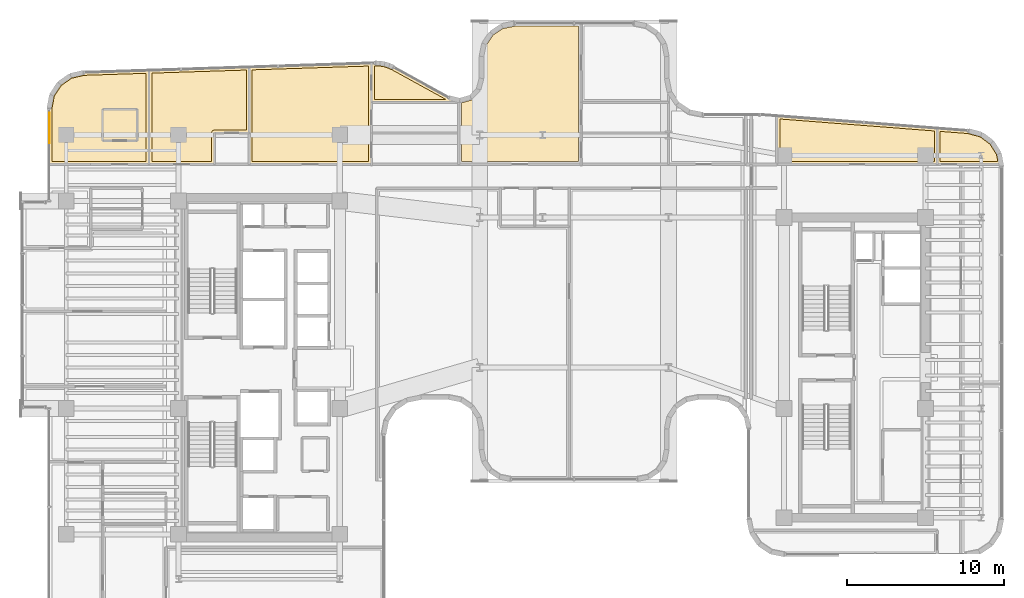
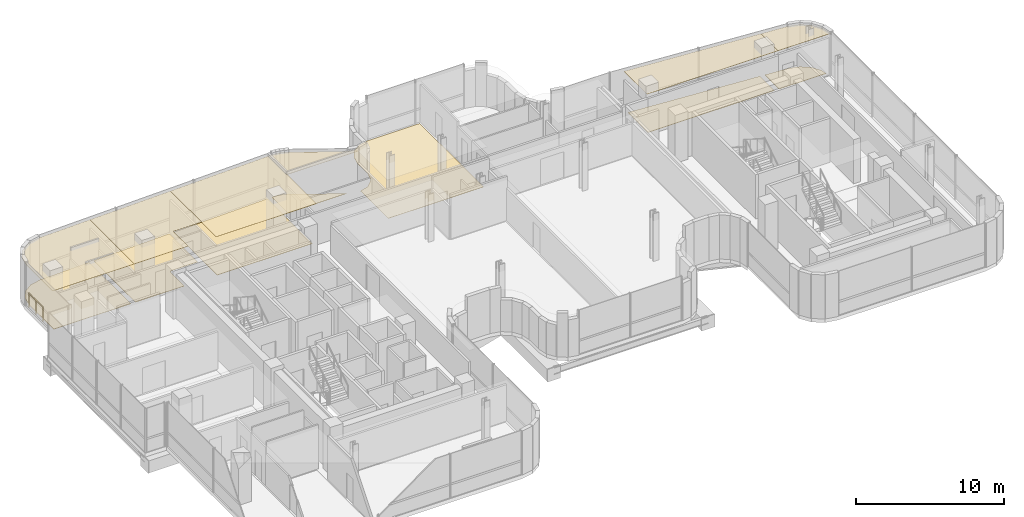
# One storey, part 37 of 38: 13 coverings, 1 railing.
"""IFC4 building model written with IfcOpenShell, lengths in metres."""

from ifc_helpers import new_model, si_unit, direction, frame, origin, origin_2d, place, context, subcontext, project, spatial, polyline, circle, outline, extrude, material, layer, layer_set, type_object, element, save


model = new_model("IFC4")

# Units and contexts
model_context = context("Model", 3, precision=1e-05, world=origin(), true_north=direction((0.0, 1.0)))
body_context = subcontext(model_context, "Body", "Model", "MODEL_VIEW")
ifc_project = project(units=[si_unit("LENGTHUNIT", "METRE"), si_unit("AREAUNIT", "SQUARE_METRE"), si_unit("VOLUMEUNIT", "CUBIC_METRE"), si_unit("PLANEANGLEUNIT", "RADIAN"), si_unit("MASSUNIT", "GRAM", prefix="KILO")], contexts=[model_context])

# Site, building, storey
site_placement = place(None, origin())
site = spatial("IfcSite", under=ifc_project, at=site_placement, CompositionType="ELEMENT")
building_placement = place(site_placement, origin())
building = spatial("IfcBuilding", under=site, at=building_placement, Name="Valdorenza Pilgrim Sanctuary Tower", CompositionType="ELEMENT")
storey_placement = place(building_placement, frame((0.0, 0.0, 180.5)))
storey = spatial("IfcBuildingStorey", under=building, at=storey_placement, Name="L46", CompositionType="ELEMENT", Elevation=180.5)

# Coverings
ifc_material_1 = material(Name="Micro-perforated acoustic mineral ceiling tile", Category="gypsum")
ifc_layer_1 = layer(ifc_material_1, 0.02490234375, Name="Micro-perforated acoustic mineral ceiling tile")
ifc_layer_set_1 = layer_set([ifc_layer_1], Name="Micro-perforated acoustic mineral ceiling tile")
covering_type_1 = type_object("IfcCoveringType", Name="COV-CLG-ACU", PredefinedType="CEILING", material=ifc_layer_set_1)
covering_1_placement = place(storey_placement, frame((0.0, 0.0, 3.330078125)))
element("IfcCovering", 1, at=covering_1_placement, inside=storey, type_object=covering_type_1, Name="L46 North Family Guest Room L46-N1A Acoustic Ceiling", PredefinedType="CEILING", context=body_context, shape_type="SweptSolid", body=[
    extrude(outline(polyline([(-30.735595703125, 17.337890625), (-30.735107421875, 17.33935546875), (-30.734619140625, 17.3408203125), (-30.734130859375, 17.342041015625), (-30.7333984375, 17.34326171875), (-30.256591796875, 18.076416015625), (-30.255615234375, 18.077392578125), (-30.254638671875, 18.07861328125), (-30.253662109375, 18.07958984375), (-30.25244140625, 18.08056640625), (-29.535400390625, 18.580810546875), (-29.5341796875, 18.581787109375), (-29.532958984375, 18.58251953125), (-29.531494140625, 18.5830078125), (-29.5302734375, 18.583251953125), (-28.667236328125, 18.780517578125), (-28.665771484375, 18.781005859375), (-28.664306640625, 18.781005859375), (-24.530517578125, 18.91552734375), (-24.530029296875, 18.91552734375), (-24.528564453125, 18.91552734375), (-24.527099609375, 18.91552734375), (-24.525634765625, 18.915283203125), (-24.524169921875, 18.9150390625), (-24.522705078125, 18.91455078125), (-24.521484375, 18.913818359375), (-24.520263671875, 18.9130859375), (-24.51904296875, 18.912109375), (-24.517822265625, 18.9111328125), (-24.516845703125, 18.91015625), (-24.51611328125, 18.908935546875), (-24.515380859375, 18.90771484375), (-24.5146484375, 18.90625), (-24.51416015625, 18.905029296875), (-24.513916015625, 18.903564453125), (-24.513671875, 18.902099609375), (-24.513427734375, 18.900634765625), (-24.513427734375, 12.919921875), (-24.513671875, 12.91845703125), (-24.513916015625, 12.9169921875), (-24.51416015625, 12.91552734375), (-24.5146484375, 12.914306640625), (-24.515380859375, 12.912841796875), (-24.51611328125, 12.91162109375), (-24.516845703125, 12.910400390625), (-24.517822265625, 12.909423828125), (-24.51904296875, 12.908447265625), (-24.520263671875, 12.907470703125), (-24.521484375, 12.90673828125), (-24.522705078125, 12.906005859375), (-24.524169921875, 12.905517578125), (-24.525634765625, 12.9052734375), (-24.527099609375, 12.905029296875), (-24.528564453125, 12.905029296875), (-30.889892578125, 12.905029296875), (-30.8916015625, 12.905029296875), (-30.892822265625, 12.9052734375), (-30.894287109375, 12.905517578125), (-30.895751953125, 12.906005859375), (-30.897216796875, 12.90673828125), (-30.898193359375, 12.907470703125), (-30.8994140625, 12.908447265625), (-30.900634765625, 12.909423828125), (-30.901611328125, 12.910400390625), (-30.902587890625, 12.91162109375), (-30.9033203125, 12.912841796875), (-30.90380859375, 12.914306640625), (-30.904296875, 12.91552734375), (-30.90478515625, 12.9169921875), (-30.90478515625, 12.91845703125), (-30.905029296875, 12.919921875), (-30.905029296875, 16.46630859375), (-30.90478515625, 16.4677734375), (-30.90478515625, 16.46923828125), (-30.735595703125, 17.337890625)])), origin(), (0.0, 0.0, 1.0), 0.02490234375),
])
covering_2_placement = place(storey_placement, frame((0.0, 0.0, 3.330078125)))
element("IfcCovering", 2, at=covering_2_placement, inside=storey, type_object=covering_type_1, Name="L46 North Family Guest Room L46-N1B Acoustic Ceiling", PredefinedType="CEILING", context=body_context, shape_type="SweptSolid", body=[
    extrude(outline(polyline([(-24.54150390625, 18.900634765625), (-24.54150390625, 18.901611328125), (-24.541259765625, 18.90283203125), (-24.541015625, 18.904296875), (-24.54052734375, 18.90576171875), (-24.5400390625, 18.9072265625), (-24.539306640625, 18.908447265625), (-24.53857421875, 18.90966796875), (-24.53759765625, 18.910888671875), (-24.53662109375, 18.911865234375), (-24.535400390625, 18.912841796875), (-24.5341796875, 18.913818359375), (-24.53271484375, 18.914306640625), (-24.531494140625, 18.914794921875), (-24.52978515625, 18.915283203125), (-24.528564453125, 18.91552734375), (-24.527099609375, 18.915771484375), (-18.16748046875, 19.122802734375), (-18.166015625, 19.122802734375), (-18.16455078125, 19.12255859375), (-18.1630859375, 19.122314453125), (-18.16162109375, 19.121826171875), (-18.16015625, 19.12109375), (-18.158935546875, 19.120361328125), (-18.15771484375, 19.119384765625), (-18.156494140625, 19.11865234375), (-18.155517578125, 19.117431640625), (-18.154541015625, 19.1162109375), (-18.15380859375, 19.114990234375), (-18.1533203125, 19.113525390625), (-18.152587890625, 19.1123046875), (-18.15234375, 19.11083984375), (-18.152099609375, 19.109375), (-18.152099609375, 19.10791015625), (-18.152099609375, 14.922119140625), (-18.152099609375, 14.92041015625), (-18.15234375, 14.919189453125), (-18.152587890625, 14.91748046875), (-18.153076171875, 14.916259765625), (-18.15380859375, 14.914794921875), (-18.154541015625, 14.913818359375), (-18.155517578125, 14.91259765625), (-18.156494140625, 14.911376953125), (-18.157470703125, 14.910400390625), (-18.15869140625, 14.909423828125), (-18.159912109375, 14.90869140625), (-18.161376953125, 14.908203125), (-18.16259765625, 14.90771484375), (-18.1640625, 14.9072265625), (-18.16552734375, 14.906982421875), (-18.1669921875, 14.906982421875), (-20.35400390625, 14.906982421875), (-20.35400390625, 12.919921875), (-20.35400390625, 12.91845703125), (-20.354248046875, 12.9169921875), (-20.3544921875, 12.91552734375), (-20.35498046875, 12.914306640625), (-20.355712890625, 12.912841796875), (-20.3564453125, 12.91162109375), (-20.357421875, 12.910400390625), (-20.3583984375, 12.909423828125), (-20.359619140625, 12.908447265625), (-20.360595703125, 12.907470703125), (-20.36181640625, 12.90673828125), (-20.36328125, 12.906005859375), (-20.364501953125, 12.905517578125), (-20.3662109375, 12.9052734375), (-20.367431640625, 12.905029296875), (-20.368896484375, 12.905029296875), (-24.526611328125, 12.905029296875), (-24.528076171875, 12.905029296875), (-24.529296875, 12.9052734375), (-24.531005859375, 12.905517578125), (-24.5322265625, 12.906005859375), (-24.53369140625, 12.90673828125), (-24.534912109375, 12.907470703125), (-24.535888671875, 12.908447265625), (-24.537109375, 12.909423828125), (-24.5380859375, 12.910400390625), (-24.5390625, 12.91162109375), (-24.539794921875, 12.912841796875), (-24.540283203125, 12.914306640625), (-24.541015625, 12.91552734375), (-24.541259765625, 12.9169921875), (-24.54150390625, 12.91845703125), (-24.54150390625, 12.919921875), (-24.54150390625, 18.900634765625), (-24.54150390625, 18.900634765625)])), origin(), (0.0, 0.0, 1.0), 0.02490234375),
])
covering_3_placement = place(storey_placement, frame((0.0, 0.0, 3.330078125)))
element("IfcCovering", 3, at=covering_3_placement, inside=storey, type_object=covering_type_1, Name="L46 North Family Flat L46-N2 Bedroom Acoustic Ceiling", PredefinedType="CEILING", context=body_context, shape_type="SweptSolid", body=[
    extrude(outline(polyline([(-10.38330078125, 16.85498046875), (-10.385009765625, 16.85498046875), (-10.38623046875, 16.855224609375), (-10.3876953125, 16.855712890625), (-10.38916015625, 16.856201171875), (-10.390380859375, 16.856689453125), (-10.3916015625, 16.857421875), (-10.392822265625, 16.8583984375), (-10.39404296875, 16.859375), (-10.39501953125, 16.860595703125), (-10.39599609375, 16.86181640625), (-10.396484375, 16.86279296875), (-10.397216796875, 16.8642578125), (-10.397705078125, 16.865478515625), (-10.398193359375, 16.8671875), (-10.398193359375, 16.868408203125), (-10.3984375, 16.8701171875), (-10.3984375, 19.361083984375), (-10.398193359375, 19.362548828125), (-10.398193359375, 19.364013671875), (-10.397705078125, 19.365478515625), (-10.397216796875, 19.36669921875), (-10.396728515625, 19.3681640625), (-10.39599609375, 19.369384765625), (-10.39501953125, 19.37060546875), (-10.394287109375, 19.37158203125), (-10.39306640625, 19.37255859375), (-10.39208984375, 19.37353515625), (-10.390869140625, 19.374267578125), (-10.389404296875, 19.375), (-10.38818359375, 19.37548828125), (-10.38671875, 19.375732421875), (-10.38525390625, 19.376220703125), (-10.3837890625, 19.376220703125), (-10.15966796875, 19.383544921875), (-10.1591796875, 19.383544921875), (-10.156982421875, 19.383544921875), (-10.156494140625, 19.383544921875), (-9.84765625, 19.372802734375), (-9.845703125, 19.37255859375), (-9.5439453125, 19.3212890625), (-9.5419921875, 19.32080078125), (-9.24951171875, 19.229736328125), (-9.24755859375, 19.22900390625), (-8.966552734375, 19.09814453125), (-8.9658203125, 19.097900390625), (-5.477294921875, 17.178955078125), (-5.469482421875, 17.17529296875), (-5.4619140625, 17.172119140625), (-5.453857421875, 17.169921875), (-4.829345703125, 17.0146484375), (-4.827880859375, 17.014404296875), (-4.82666015625, 17.013671875), (-4.825439453125, 17.01318359375), (-4.82421875, 17.01220703125), (-4.822998046875, 17.011474609375), (-4.822021484375, 17.010498046875), (-4.8212890625, 17.00927734375), (-4.8203125, 17.00830078125), (-4.819580078125, 17.007080078125), (-4.819091796875, 17.005615234375), (-4.818603515625, 17.00439453125), (-4.818359375, 17.0029296875), (-4.818115234375, 17.00146484375), (-4.818115234375, 17.0), (-4.818115234375, 16.8701171875), (-4.818115234375, 16.868408203125), (-4.818359375, 16.8671875), (-4.818603515625, 16.865478515625), (-4.819091796875, 16.8642578125), (-4.81982421875, 16.86279296875), (-4.820556640625, 16.86181640625), (-4.8212890625, 16.860595703125), (-4.822509765625, 16.859375), (-4.823486328125, 16.8583984375), (-4.82470703125, 16.857421875), (-4.825927734375, 16.856689453125), (-4.827392578125, 16.856201171875), (-4.82861328125, 16.855712890625), (-4.830078125, 16.855224609375), (-4.83154296875, 16.85498046875), (-4.8330078125, 16.85498046875), (-10.38330078125, 16.85498046875)])), origin(), (0.0, 0.0, 1.0), 0.02490234375),
])
covering_4_placement = place(storey_placement, frame((0.0, 0.0, 3.330078125)))
element("IfcCovering", 4, at=covering_4_placement, inside=storey, type_object=covering_type_1, Name="L46 North Family Flat L46-N2 Living Room Acoustic Ceiling", PredefinedType="CEILING", context=body_context, shape_type="SweptSolid", body=[
    extrude(outline(polyline([(-18.179931640625, 14.918212890625), (-18.18017578125, 14.9189453125), (-18.180419921875, 14.92041015625), (-18.18017578125, 14.922119140625), (-18.18017578125, 14.923583984375), (-18.179931640625, 14.923828125), (-18.179931640625, 19.10791015625), (-18.179931640625, 19.10791015625), (-18.179931640625, 19.108642578125), (-18.1796875, 19.110107421875), (-18.179443359375, 19.111572265625), (-18.17919921875, 19.11279296875), (-18.178466796875, 19.1142578125), (-18.177734375, 19.115478515625), (-18.177001953125, 19.116943359375), (-18.176025390625, 19.117919921875), (-18.175048828125, 19.118896484375), (-18.173828125, 19.1201171875), (-18.172607421875, 19.120849609375), (-18.17138671875, 19.12158203125), (-18.169921875, 19.1220703125), (-18.16845703125, 19.122314453125), (-18.1669921875, 19.122802734375), (-18.16552734375, 19.122802734375), (-10.385986328125, 19.376220703125), (-10.384521484375, 19.376220703125), (-10.3828125, 19.3759765625), (-10.38134765625, 19.37548828125), (-10.3798828125, 19.375), (-10.378662109375, 19.37451171875), (-10.377197265625, 19.373779296875), (-10.376220703125, 19.372802734375), (-10.375, 19.371826171875), (-10.373779296875, 19.370849609375), (-10.373046875, 19.36962890625), (-10.372314453125, 19.368408203125), (-10.37158203125, 19.366943359375), (-10.37109375, 19.365478515625), (-10.37060546875, 19.364013671875), (-10.37060546875, 19.362548828125), (-10.370361328125, 19.361083984375), (-10.370361328125, 16.87548828125), (-10.3701171875, 16.875), (-10.369384765625, 16.87353515625), (-10.368896484375, 16.872314453125), (-10.36865234375, 16.870849609375), (-10.368408203125, 16.869384765625), (-10.368408203125, 16.867919921875), (-10.368408203125, 12.919921875), (-10.368408203125, 12.91845703125), (-10.36865234375, 12.9169921875), (-10.368896484375, 12.91552734375), (-10.369384765625, 12.914306640625), (-10.3701171875, 12.912841796875), (-10.370849609375, 12.91162109375), (-10.371826171875, 12.910400390625), (-10.372802734375, 12.909423828125), (-10.373779296875, 12.908447265625), (-10.375, 12.907470703125), (-10.376220703125, 12.90673828125), (-10.377685546875, 12.906005859375), (-10.37890625, 12.905517578125), (-10.380615234375, 12.9052734375), (-10.3818359375, 12.905029296875), (-10.38330078125, 12.905029296875), (-18.1650390625, 12.905029296875), (-18.16650390625, 12.905029296875), (-18.16796875, 12.9052734375), (-18.16943359375, 12.905517578125), (-18.170654296875, 12.906005859375), (-18.172119140625, 12.90673828125), (-18.17333984375, 12.907470703125), (-18.174560546875, 12.908447265625), (-18.175537109375, 12.909423828125), (-18.176513671875, 12.910400390625), (-18.177490234375, 12.91162109375), (-18.17822265625, 12.912841796875), (-18.178955078125, 12.914306640625), (-18.179443359375, 12.91552734375), (-18.1796875, 12.9169921875), (-18.179931640625, 12.91845703125), (-18.179931640625, 12.919921875), (-18.179931640625, 14.918212890625)])), origin(), (0.0, 0.0, 1.0), 0.02490234375),
])
covering_5_placement = place(storey_placement, frame((0.0, 0.0, 3.330078125)))
element("IfcCovering", 5, at=covering_5_placement, inside=storey, type_object=covering_type_1, Name="L46 Curator Research Office L46-BN1 Acoustic Ceiling", PredefinedType="CEILING", context=body_context, shape_type="SweptSolid", body=[
    extrude(outline(polyline([(15.39990234375, 12.905029296875), (15.3984375, 12.905029296875), (15.397216796875, 12.9052734375), (15.3955078125, 12.905517578125), (15.394287109375, 12.906005859375), (15.392822265625, 12.90673828125), (15.3916015625, 12.907470703125), (15.390380859375, 12.908447265625), (15.389404296875, 12.909423828125), (15.388427734375, 12.910400390625), (15.387451171875, 12.91162109375), (15.38671875, 12.912841796875), (15.385986328125, 12.914306640625), (15.385498046875, 12.91552734375), (15.38525390625, 12.9169921875), (15.385009765625, 12.91845703125), (15.385009765625, 12.919921875), (15.385009765625, 16.00439453125), (15.385009765625, 16.006103515625), (15.38525390625, 16.00732421875), (15.385498046875, 16.0087890625), (15.385986328125, 16.01025390625), (15.38671875, 16.011474609375), (15.387451171875, 16.0126953125), (15.38818359375, 16.013916015625), (15.389404296875, 16.014892578125), (15.390380859375, 16.01611328125), (15.3916015625, 16.016845703125), (15.392822265625, 16.017578125), (15.39404296875, 16.018310546875), (15.3955078125, 16.018798828125), (15.396728515625, 16.019287109375), (15.398193359375, 16.019287109375), (15.399658203125, 16.01953125), (15.401123046875, 16.01953125), (25.601318359375, 15.229736328125), (25.6025390625, 15.2294921875), (25.60400390625, 15.229248046875), (25.60546875, 15.228759765625), (25.60693359375, 15.228271484375), (25.608154296875, 15.2275390625), (25.609375, 15.2265625), (25.610595703125, 15.2255859375), (25.611572265625, 15.224609375), (25.6123046875, 15.223388671875), (25.61328125, 15.221923828125), (25.61376953125, 15.220703125), (25.6142578125, 15.21923828125), (25.61474609375, 15.2177734375), (25.614990234375, 15.21630859375), (25.614990234375, 15.21484375), (25.614990234375, 12.919921875), (25.614990234375, 12.91845703125), (25.61474609375, 12.9169921875), (25.614501953125, 12.91552734375), (25.614013671875, 12.914306640625), (25.61328125, 12.912841796875), (25.612548828125, 12.91162109375), (25.611572265625, 12.910400390625), (25.610595703125, 12.909423828125), (25.609619140625, 12.908447265625), (25.6083984375, 12.907470703125), (25.607177734375, 12.90673828125), (25.605712890625, 12.906005859375), (25.6044921875, 12.905517578125), (25.602783203125, 12.9052734375), (25.6015625, 12.905029296875), (25.60009765625, 12.905029296875), (15.39990234375, 12.905029296875)])), origin(), (0.0, 0.0, 1.0), 0.02490234375),
])
covering_6_placement = place(storey_placement, frame((0.0, 0.0, 3.330078125)))
element("IfcCovering", 6, at=covering_6_placement, inside=storey, type_object=covering_type_1, Name="L46 East Wing Reference Library L46-BNE Acoustic Ceiling", PredefinedType="CEILING", context=body_context, shape_type="SweptSolid", body=[
    extrude(outline(polyline([(27.567626953125, 15.07763671875), (27.569091796875, 15.077392578125), (27.570556640625, 15.0771484375), (28.400390625, 14.852783203125), (28.40185546875, 14.852294921875), (28.403076171875, 14.851806640625), (28.404296875, 14.85107421875), (28.405517578125, 14.850341796875), (29.088134765625, 14.344970703125), (29.089111328125, 14.343994140625), (29.090087890625, 14.343017578125), (29.091064453125, 14.342041015625), (29.091796875, 14.3408203125), (29.543212890625, 13.62109375), (29.543701171875, 13.6201171875), (29.544189453125, 13.61865234375), (29.544921875, 13.617431640625), (29.545166015625, 13.615966796875), (29.676025390625, 12.9228515625), (29.67626953125, 12.92138671875), (29.67626953125, 12.919921875), (29.67626953125, 12.91845703125), (29.676025390625, 12.9169921875), (29.67578125, 12.91552734375), (29.67529296875, 12.914306640625), (29.674560546875, 12.912841796875), (29.673828125, 12.91162109375), (29.6728515625, 12.910400390625), (29.671875, 12.9091796875), (29.6708984375, 12.908447265625), (29.669677734375, 12.907470703125), (29.66845703125, 12.90673828125), (29.6669921875, 12.906005859375), (29.665771484375, 12.905517578125), (29.664306640625, 12.9052734375), (29.662841796875, 12.905029296875), (29.661376953125, 12.905029296875), (25.60205078125, 12.905029296875), (25.6005859375, 12.905029296875), (25.59912109375, 12.9052734375), (25.59765625, 12.905517578125), (25.59619140625, 12.906005859375), (25.594970703125, 12.90673828125), (25.59375, 12.907470703125), (25.592529296875, 12.908447265625), (25.59130859375, 12.909423828125), (25.59033203125, 12.910400390625), (25.589599609375, 12.91162109375), (25.5888671875, 12.912841796875), (25.588134765625, 12.914306640625), (25.587646484375, 12.91552734375), (25.58740234375, 12.9169921875), (25.587158203125, 12.91845703125), (25.5869140625, 12.919921875), (25.5869140625, 15.214599609375), (25.587158203125, 15.21630859375), (25.58740234375, 15.217529296875), (25.587646484375, 15.218994140625), (25.588134765625, 15.220458984375), (25.588623046875, 15.2216796875), (25.589599609375, 15.222900390625), (25.59033203125, 15.22412109375), (25.59130859375, 15.22509765625), (25.59228515625, 15.226318359375), (25.593505859375, 15.22705078125), (25.5947265625, 15.227783203125), (25.59619140625, 15.228515625), (25.597412109375, 15.22900390625), (25.598876953125, 15.2294921875), (25.600341796875, 15.2294921875), (25.601806640625, 15.229736328125), (25.603271484375, 15.229736328125), (27.567626953125, 15.07763671875)])), origin(), (0.0, 0.0, 1.0), 0.02490234375),
])
ifc_material_2 = material(Name="Engineered European oak timber flooring", Category="wood")
ifc_layer_2 = layer(ifc_material_2, 0.02197265625, Name="Engineered European oak timber flooring")
ifc_layer_set_2 = layer_set([ifc_layer_2], Name="Engineered European oak timber flooring")
covering_type_2 = type_object("IfcCoveringType", Name="COV-FLR-OAK", PredefinedType="FLOORING", material=ifc_layer_set_2)
covering_7_placement = place(storey_placement, origin())
element("IfcCovering", 7, at=covering_7_placement, inside=storey, type_object=covering_type_2, Name="L46 North Family Guest Room L46-N1A Flooring", PredefinedType="FLOORING", context=body_context, shape_type="SweptSolid", body=[
    extrude(outline(polyline([(-30.55078125, 17.266357421875), (-30.112060546875, 17.940673828125), (-29.45263671875, 18.40087890625), (-28.640625, 18.586669921875), (-24.7099609375, 18.714599609375), (-24.70849609375, 13.10009765625), (-30.7099609375, 13.10009765625), (-30.7099609375, 16.448974609375), (-30.55078125, 17.266357421875)])), origin(), (0.0, 0.0, 1.0), 0.02490234375),
])
covering_8_placement = place(storey_placement, origin())
element("IfcCovering", 8, at=covering_8_placement, inside=storey, type_object=covering_type_2, Name="L46 North Family Guest Room L46-N1B Flooring", PredefinedType="FLOORING", context=body_context, shape_type="SweptSolid", body=[
    extrude(outline(polyline([(-18.346923828125, 18.921875), (-18.346923828125, 15.10205078125), (-20.366943359375, 15.10205078125), (-20.375732421875, 15.101806640625), (-20.3759765625, 15.101806640625), (-20.3935546875, 15.10009765625), (-20.393798828125, 15.10009765625), (-20.4111328125, 15.0966796875), (-20.411376953125, 15.096435546875), (-20.42822265625, 15.09130859375), (-20.428466796875, 15.09130859375), (-20.444580078125, 15.084716796875), (-20.44482421875, 15.08447265625), (-20.46044921875, 15.076171875), (-20.460693359375, 15.076171875), (-20.475341796875, 15.066162109375), (-20.4755859375, 15.066162109375), (-20.489013671875, 15.054931640625), (-20.4892578125, 15.0546875), (-20.501708984375, 15.042236328125), (-20.501953125, 15.0419921875), (-20.51318359375, 15.028564453125), (-20.51318359375, 15.0283203125), (-20.523193359375, 15.013671875), (-20.523193359375, 15.013427734375), (-20.531494140625, 14.997802734375), (-20.531494140625, 14.997802734375), (-20.538330078125, 14.9814453125), (-20.538330078125, 14.981201171875), (-20.54345703125, 14.96435546875), (-20.543701171875, 14.964111328125), (-20.547119140625, 14.94677734375), (-20.547119140625, 14.946533203125), (-20.548828125, 14.928955078125), (-20.548828125, 14.9287109375), (-20.549072265625, 14.919921875), (-20.549072265625, 13.10009765625), (-24.346435546875, 13.10009765625), (-24.346435546875, 18.726318359375), (-18.346923828125, 18.921875)])), origin(), (0.0, 0.0, 1.0), 0.02490234375),
])
covering_9_placement = place(storey_placement, origin())
element("IfcCovering", 9, at=covering_9_placement, inside=storey, type_object=covering_type_2, Name="L46 North Family Flat L46-N2 Bedroom Flooring", PredefinedType="FLOORING", context=body_context, shape_type="SweptSolid", body=[
    extrude(outline(polyline([(-10.203369140625, 17.050048828125), (-10.203369140625, 19.18701171875), (-10.158203125, 19.1884765625), (-9.866455078125, 19.17822265625), (-9.58837890625, 19.131103515625), (-9.319091796875, 19.047119140625), (-9.054443359375, 18.924072265625), (-5.647216796875, 17.050048828125), (-10.203369140625, 17.050048828125)])), origin(), (0.0, 0.0, 1.0), 0.02490234375),
])
covering_10_placement = place(storey_placement, origin())
element("IfcCovering", 10, at=covering_10_placement, inside=storey, type_object=covering_type_2, Name="L46 North Family Flat L46-N2 Living Room Flooring", PredefinedType="FLOORING", context=body_context, shape_type="SweptSolid", body=[
    extrude(outline(polyline([(-17.985107421875, 14.921630859375), (-17.985107421875, 14.922119140625), (-17.985107421875, 18.93359375), (-10.5654296875, 19.17529296875), (-10.5654296875, 16.8701171875), (-10.5634765625, 13.10009765625), (-17.985107421875, 13.10009765625), (-17.985107421875, 14.919921875), (-17.985107421875, 14.9208984375), (-17.985107421875, 14.921630859375)])), origin(), (0.0, 0.0, 1.0), 0.02490234375),
])
covering_11_placement = place(storey_placement, origin())
element("IfcCovering", 11, at=covering_11_placement, inside=storey, type_object=covering_type_2, Name="L46 North Family Flat L46-N3 Living Room Flooring", PredefinedType="FLOORING", context=body_context, shape_type="SweptSolid", body=[
    extrude(outline(polyline([(-4.65087890625, 14.921630859375), (-4.65087890625, 14.922119140625), (-4.65087890625, 16.8369140625), (-4.061279296875, 17.003173828125), (-4.05224609375, 17.005859375), (-4.04150390625, 17.009521484375), (-4.024169921875, 17.0166015625), (-4.013916015625, 17.021240234375), (-3.997314453125, 17.02978515625), (-3.987548828125, 17.03564453125), (-3.971923828125, 17.0458984375), (-3.962890625, 17.052734375), (-3.948486328125, 17.064697265625), (-3.93994140625, 17.072509765625), (-3.933349609375, 17.078857421875), (-3.464599609375, 17.5546875), (-3.458251953125, 17.5615234375), (-3.45068359375, 17.5703125), (-3.43896484375, 17.584716796875), (-3.432373046875, 17.593994140625), (-3.42236328125, 17.609619140625), (-3.41650390625, 17.61962890625), (-3.408203125, 17.63623046875), (-3.403564453125, 17.646728515625), (-3.39697265625, 17.664306640625), (-3.3935546875, 17.675048828125), (-3.390869140625, 17.68408203125), (-3.2197265625, 18.32958984375), (-3.218017578125, 18.337158203125), (-3.2158203125, 18.346435546875), (-3.213134765625, 18.36181640625), (-3.2119140625, 18.37109375), (-3.210693359375, 18.38671875), (-3.210205078125, 18.396240234375), (-3.2099609375, 18.404052734375), (-3.2099609375, 19.767333984375), (-3.05908203125, 20.5263671875), (-2.6455078125, 21.1455078125), (-2.0263671875, 21.55908203125), (-1.267333984375, 21.7099609375), (2.768310546875, 21.7099609375), (2.768310546875, 16.8701171875), (2.77001953125, 13.10009765625), (-4.65087890625, 13.10009765625), (-4.65087890625, 14.919921875), (-4.65087890625, 14.9208984375), (-4.65087890625, 14.921630859375)])), origin(), (0.0, 0.0, 1.0), 0.02490234375),
])
ifc_material_3 = material(Name="Honed travertine stone flooring", Category="masonry")
ifc_layer_3 = layer(ifc_material_3, 0.030029296875, Name="Honed travertine stone flooring")
ifc_layer_set_3 = layer_set([ifc_layer_3], Name="Honed travertine stone flooring")
covering_type_3 = type_object("IfcCoveringType", Name="COV-FLR-TRV", PredefinedType="FLOORING", material=ifc_layer_set_3)
covering_12_placement = place(storey_placement, origin())
element("IfcCovering", 12, at=covering_12_placement, inside=storey, type_object=covering_type_3, Name="L46 Curator Research Office L46-BN1 Flooring", PredefinedType="FLOORING", context=body_context, shape_type="SweptSolid", body=[
    extrude(outline(polyline([(15.580078125, 13.10009765625), (15.580078125, 15.81005859375), (25.419921875, 15.04833984375), (25.419921875, 13.10009765625), (15.580078125, 13.10009765625)])), origin(), (0.0, 0.0, 1.0), 0.02490234375),
])
covering_13_placement = place(storey_placement, origin())
element("IfcCovering", 13, at=covering_13_placement, inside=storey, type_object=covering_type_3, Name="L46 East Wing Reference Library L46-BNE Flooring", PredefinedType="FLOORING", context=body_context, shape_type="SweptSolid", body=[
    extrude(outline(polyline([(27.535888671875, 14.884521484375), (28.31689453125, 14.67333984375), (28.944580078125, 14.20849609375), (29.35986328125, 13.54638671875), (29.444091796875, 13.10009765625), (25.781982421875, 13.10009765625), (25.781982421875, 15.020263671875), (27.535888671875, 14.884521484375)])), origin(), (0.0, 0.0, 1.0), 0.02490234375),
])

# Railing
ifc_material_4 = material(Name="Stainless steel Grade 316", Category="steel")
railing_type = type_object("IfcRailingType", Name="RLG-GRD-1120", PredefinedType="GUARDRAIL", material=ifc_material_4)
railing_placement = place(storey_placement, frame((-30.860107421875, 14.300048828125, 0.0)))
element("IfcRailing", 14, at=railing_placement, inside=storey, type_object=railing_type, Name="L46 NW Tangent Safety Sill Guard", PredefinedType="GUARDRAIL", context=body_context, shape_type="SweptSolid", body=[
    extrude(circle(Radius=0.02392578125, at=origin_2d()), frame((0.0, 0.0, 1.17578125), z_axis=(0.0, 1.0, 0.0), x_axis=(-1.0, 0.0, 0.0)), (0.0, 0.0, 1.0), 1.89990234375),
    extrude(circle(Radius=0.02099609375, at=origin_2d()), origin(), (0.0, 0.0, 1.0), 1.15185546875),
    extrude(circle(Radius=0.02099609375, at=origin_2d()), frame((0.0, 0.949951171875, 0.0)), (0.0, 0.0, 1.0), 1.15185546875),
    extrude(circle(Radius=0.02099609375, at=origin_2d()), frame((0.0, 1.89990234375, 0.0)), (0.0, 0.0, 1.0), 1.15185546875),
])

save(model, "model.ifc")
